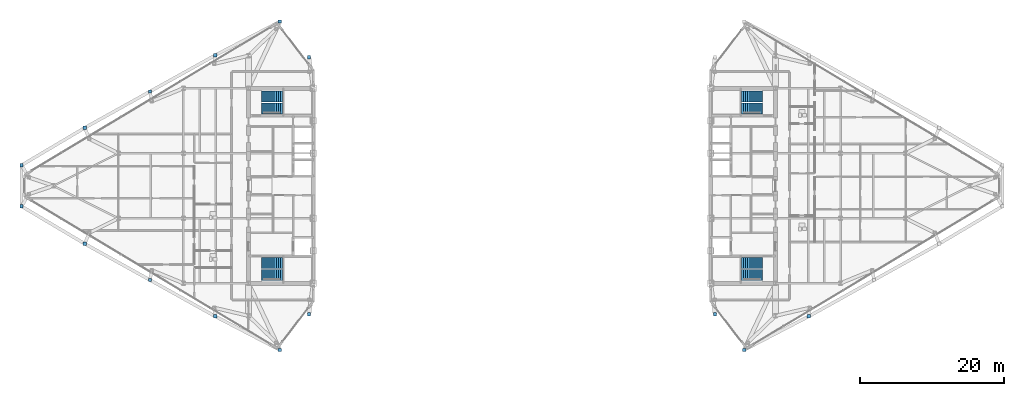
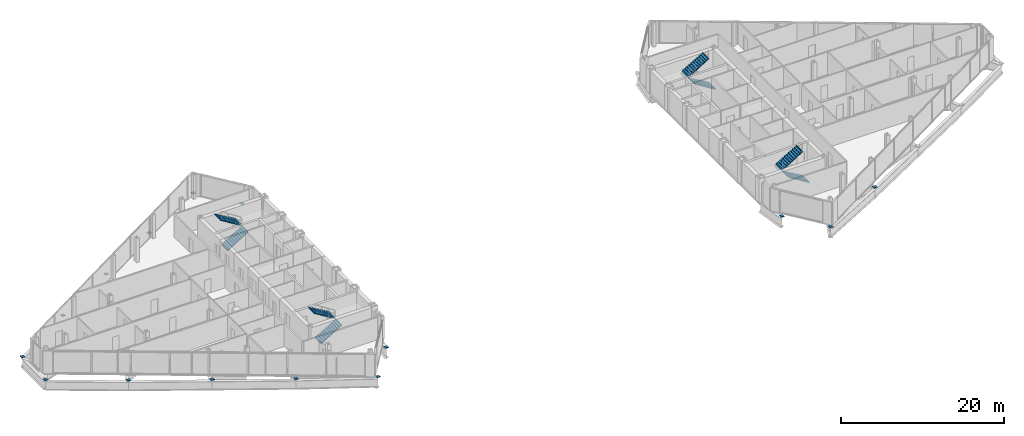
# One storey, part 26 of 29: 15 discrete accessories, 8 stair flights, 4 elements without a shape of their own.
"""IFC4 building model written with IfcOpenShell, lengths in metres."""

from ifc_helpers import new_model, si_unit, direction, frame, origin, origin_2d, place, context, subcontext, project, spatial, polyline, rectangle, outline, extrude, source, transform, mapped, material, type_object, type_shapes, element, aggregate, save


model = new_model("IFC4")

# Units and contexts
model_context = context("Model", 3, precision=1e-05, world=origin(), true_north=direction((0.0, 1.0)))
body_context = subcontext(model_context, "Body", "Model", "MODEL_VIEW")
ifc_project = project(units=[si_unit("LENGTHUNIT", "METRE"), si_unit("AREAUNIT", "SQUARE_METRE"), si_unit("VOLUMEUNIT", "CUBIC_METRE"), si_unit("PLANEANGLEUNIT", "RADIAN"), si_unit("MASSUNIT", "GRAM", prefix="KILO")], contexts=[model_context])

# Site, building, storey
site_placement = place(None, origin())
site = spatial("IfcSite", under=ifc_project, at=site_placement, CompositionType="ELEMENT")
building_placement = place(site_placement, origin())
building = spatial("IfcBuilding", under=site, at=building_placement, Name="Seokmaru Belvedere", CompositionType="ELEMENT")
storey_placement = place(building_placement, frame((0.0, 0.0, 195.89990234375)))
storey = spatial("IfcBuildingStorey", under=building, at=storey_placement, Name="L52", CompositionType="ELEMENT", Elevation=195.89990234375)

# Stair, stair flights
ifc_material_1 = material(Name="Concrete C40 (40 MPa)", Category="concrete")
stair_type = type_object("IfcStairType", Name="Typical Tower Core Dog-Leg Stair 3600", PredefinedType="TWO_STRAIGHT_RUN_STAIR", material=ifc_material_1)
stair_1_placement = place(storey_placement, origin())
stair_1 = element("IfcStair", 1, at=stair_1_placement, inside=storey, type_object=stair_type, Name="L52 Special Escape Stair ST-W1", PredefinedType="TWO_STRAIGHT_RUN_STAIR")
stair_flight_type = type_object("IfcStairFlightType", Name="Reinforced Concrete Stair Flight 1500", PredefinedType="STRAIGHT", material=ifc_material_1)
stair_flight_1_placement = place(storey_placement, frame((-34.60009765625, -12.35009765625, 0.0), z_axis=(0.0, 0.0, 1.0), x_axis=(1.0, 0.0, 0.0)))
stair_flight_1 = element("IfcStairFlight", 2, at=stair_flight_1_placement, type_object=stair_flight_type, Name="ST-W1 flight 1", NumberOfRisers=11, NumberOfTreads=10, PredefinedType="STRAIGHT", RiserHeight=0.163636364, TreadLength=0.28, context=body_context, shape_type="SweptSolid", body=[
    extrude(outline(polyline([(-0.080078125, 0.0), (0.0, 0.16357421875), (0.280029296875, 0.16357421875), (0.280029296875, 0.327392578125), (0.56005859375, 0.327392578125), (0.56005859375, 0.490966796875), (0.840087890625, 0.490966796875), (0.840087890625, 0.654541015625), (1.1201171875, 0.654541015625), (1.1201171875, 0.818115234375), (1.39990234375, 0.818115234375), (1.39990234375, 0.98193359375), (1.679931640625, 0.98193359375), (1.679931640625, 1.1455078125), (1.9599609375, 1.1455078125), (1.9599609375, 1.30908203125), (2.239990234375, 1.30908203125), (2.239990234375, 1.47265625), (2.52001953125, 1.47265625), (2.52001953125, 1.636474609375), (2.800048828125, 1.636474609375), (2.800048828125, 1.800048828125), (2.8798828125, 1.800048828125), (2.8798828125, 1.610107421875), (2.800048828125, 1.610107421875), (0.0, -0.159912109375), (-0.080078125, -0.159912109375), (-0.080078125, 0.0)])), frame((0.0, 0.75, 0.0), z_axis=(0.0, -1.0, 0.0), x_axis=(1.0, 0.0, 0.0)), (0.0, 0.0, 1.0), 1.5),
])
stair_flight_2_placement = place(storey_placement, frame((-31.800048828125, -10.7099609375, 1.800048828125), z_axis=(0.0, 0.0, 1.0), x_axis=(-1.0, 0.0, 0.0)))
stair_flight_2 = element("IfcStairFlight", 3, at=stair_flight_2_placement, type_object=stair_flight_type, Name="ST-W1 flight 2", NumberOfRisers=11, NumberOfTreads=10, PredefinedType="STRAIGHT", RiserHeight=0.163636364, TreadLength=0.28, context=body_context, shape_type="SweptSolid", body=[
    extrude(outline(polyline([(-0.080078125, 0.0), (0.0, 0.16357421875), (0.280029296875, 0.16357421875), (0.280029296875, 0.327392578125), (0.56005859375, 0.327392578125), (0.56005859375, 0.490966796875), (0.840087890625, 0.490966796875), (0.840087890625, 0.654541015625), (1.1201171875, 0.654541015625), (1.1201171875, 0.818115234375), (1.39990234375, 0.818115234375), (1.39990234375, 0.98193359375), (1.679931640625, 0.98193359375), (1.679931640625, 1.1455078125), (1.9599609375, 1.1455078125), (1.9599609375, 1.30908203125), (2.239990234375, 1.30908203125), (2.239990234375, 1.47265625), (2.52001953125, 1.47265625), (2.52001953125, 1.636474609375), (2.800048828125, 1.636474609375), (2.800048828125, 1.800048828125), (2.8798828125, 1.800048828125), (2.8798828125, 1.610107421875), (2.800048828125, 1.610107421875), (0.0, -0.159912109375), (-0.080078125, -0.159912109375), (-0.080078125, 0.0)])), frame((0.0, 0.75, 0.0), z_axis=(0.0, -1.0, 0.0), x_axis=(1.0, 0.0, 0.0)), (0.0, 0.0, 1.0), 1.5),
])
aggregate(stair_1, [stair_flight_1, stair_flight_2])

stair_2_placement = place(storey_placement, origin())
stair_2 = element("IfcStair", 4, at=stair_2_placement, inside=storey, type_object=stair_type, Name="L52 Special Escape Stair ST-W2", PredefinedType="TWO_STRAIGHT_RUN_STAIR")
stair_flight_3_placement = place(storey_placement, frame((-34.60009765625, 10.7099609375, 0.0), z_axis=(0.0, 0.0, 1.0), x_axis=(1.0, 0.0, 0.0)))
stair_flight_3 = element("IfcStairFlight", 5, at=stair_flight_3_placement, type_object=stair_flight_type, Name="ST-W2 flight 1", NumberOfRisers=11, NumberOfTreads=10, PredefinedType="STRAIGHT", RiserHeight=0.163636364, TreadLength=0.28, context=body_context, shape_type="SweptSolid", body=[
    extrude(outline(polyline([(-0.080078125, 0.0), (0.0, 0.16357421875), (0.280029296875, 0.16357421875), (0.280029296875, 0.327392578125), (0.56005859375, 0.327392578125), (0.56005859375, 0.490966796875), (0.840087890625, 0.490966796875), (0.840087890625, 0.654541015625), (1.1201171875, 0.654541015625), (1.1201171875, 0.818115234375), (1.39990234375, 0.818115234375), (1.39990234375, 0.98193359375), (1.679931640625, 0.98193359375), (1.679931640625, 1.1455078125), (1.9599609375, 1.1455078125), (1.9599609375, 1.30908203125), (2.239990234375, 1.30908203125), (2.239990234375, 1.47265625), (2.52001953125, 1.47265625), (2.52001953125, 1.636474609375), (2.800048828125, 1.636474609375), (2.800048828125, 1.800048828125), (2.8798828125, 1.800048828125), (2.8798828125, 1.610107421875), (2.800048828125, 1.610107421875), (0.0, -0.159912109375), (-0.080078125, -0.159912109375), (-0.080078125, 0.0)])), frame((0.0, 0.75, 0.0), z_axis=(0.0, -1.0, 0.0), x_axis=(1.0, 0.0, 0.0)), (0.0, 0.0, 1.0), 1.5),
])
stair_flight_4_placement = place(storey_placement, frame((-31.800048828125, 12.35009765625, 1.800048828125), z_axis=(0.0, 0.0, 1.0), x_axis=(-1.0, 0.0, 0.0)))
stair_flight_4 = element("IfcStairFlight", 6, at=stair_flight_4_placement, type_object=stair_flight_type, Name="ST-W2 flight 2", NumberOfRisers=11, NumberOfTreads=10, PredefinedType="STRAIGHT", RiserHeight=0.163636364, TreadLength=0.28, context=body_context, shape_type="SweptSolid", body=[
    extrude(outline(polyline([(-0.080078125, 0.0), (0.0, 0.16357421875), (0.280029296875, 0.16357421875), (0.280029296875, 0.327392578125), (0.56005859375, 0.327392578125), (0.56005859375, 0.490966796875), (0.840087890625, 0.490966796875), (0.840087890625, 0.654541015625), (1.1201171875, 0.654541015625), (1.1201171875, 0.818115234375), (1.39990234375, 0.818115234375), (1.39990234375, 0.98193359375), (1.679931640625, 0.98193359375), (1.679931640625, 1.1455078125), (1.9599609375, 1.1455078125), (1.9599609375, 1.30908203125), (2.239990234375, 1.30908203125), (2.239990234375, 1.47265625), (2.52001953125, 1.47265625), (2.52001953125, 1.636474609375), (2.800048828125, 1.636474609375), (2.800048828125, 1.800048828125), (2.8798828125, 1.800048828125), (2.8798828125, 1.610107421875), (2.800048828125, 1.610107421875), (0.0, -0.159912109375), (-0.080078125, -0.159912109375), (-0.080078125, 0.0)])), frame((0.0, 0.75, 0.0), z_axis=(0.0, -1.0, 0.0), x_axis=(1.0, 0.0, 0.0)), (0.0, 0.0, 1.0), 1.5),
])
aggregate(stair_2, [stair_flight_3, stair_flight_4])

stair_3_placement = place(storey_placement, origin())
stair_3 = element("IfcStair", 7, at=stair_3_placement, inside=storey, type_object=stair_type, Name="L52 Special Escape Stair ST-E1", PredefinedType="TWO_STRAIGHT_RUN_STAIR")
stair_flight_5_placement = place(storey_placement, frame((34.60009765625, -12.35009765625, 0.0), z_axis=(0.0, 0.0, 1.0), x_axis=(-1.0, 0.0, 0.0)))
stair_flight_5 = element("IfcStairFlight", 8, at=stair_flight_5_placement, type_object=stair_flight_type, Name="ST-E1 flight 1", NumberOfRisers=11, NumberOfTreads=10, PredefinedType="STRAIGHT", RiserHeight=0.163636364, TreadLength=0.28, context=body_context, shape_type="SweptSolid", body=[
    extrude(outline(polyline([(-0.080078125, 0.0), (0.0, 0.16357421875), (0.280029296875, 0.16357421875), (0.280029296875, 0.327392578125), (0.56005859375, 0.327392578125), (0.56005859375, 0.490966796875), (0.840087890625, 0.490966796875), (0.840087890625, 0.654541015625), (1.1201171875, 0.654541015625), (1.1201171875, 0.818115234375), (1.39990234375, 0.818115234375), (1.39990234375, 0.98193359375), (1.679931640625, 0.98193359375), (1.679931640625, 1.1455078125), (1.9599609375, 1.1455078125), (1.9599609375, 1.30908203125), (2.239990234375, 1.30908203125), (2.239990234375, 1.47265625), (2.52001953125, 1.47265625), (2.52001953125, 1.636474609375), (2.800048828125, 1.636474609375), (2.800048828125, 1.800048828125), (2.8798828125, 1.800048828125), (2.8798828125, 1.610107421875), (2.800048828125, 1.610107421875), (0.0, -0.159912109375), (-0.080078125, -0.159912109375), (-0.080078125, 0.0)])), frame((0.0, 0.75, 0.0), z_axis=(0.0, -1.0, 0.0), x_axis=(1.0, 0.0, 0.0)), (0.0, 0.0, 1.0), 1.5),
])
stair_flight_6_placement = place(storey_placement, frame((31.800048828125, -10.7099609375, 1.800048828125), z_axis=(0.0, 0.0, 1.0), x_axis=(1.0, 0.0, 0.0)))
stair_flight_6 = element("IfcStairFlight", 9, at=stair_flight_6_placement, type_object=stair_flight_type, Name="ST-E1 flight 2", NumberOfRisers=11, NumberOfTreads=10, PredefinedType="STRAIGHT", RiserHeight=0.163636364, TreadLength=0.28, context=body_context, shape_type="SweptSolid", body=[
    extrude(outline(polyline([(-0.080078125, 0.0), (0.0, 0.16357421875), (0.280029296875, 0.16357421875), (0.280029296875, 0.327392578125), (0.56005859375, 0.327392578125), (0.56005859375, 0.490966796875), (0.840087890625, 0.490966796875), (0.840087890625, 0.654541015625), (1.1201171875, 0.654541015625), (1.1201171875, 0.818115234375), (1.39990234375, 0.818115234375), (1.39990234375, 0.98193359375), (1.679931640625, 0.98193359375), (1.679931640625, 1.1455078125), (1.9599609375, 1.1455078125), (1.9599609375, 1.30908203125), (2.239990234375, 1.30908203125), (2.239990234375, 1.47265625), (2.52001953125, 1.47265625), (2.52001953125, 1.636474609375), (2.800048828125, 1.636474609375), (2.800048828125, 1.800048828125), (2.8798828125, 1.800048828125), (2.8798828125, 1.610107421875), (2.800048828125, 1.610107421875), (0.0, -0.159912109375), (-0.080078125, -0.159912109375), (-0.080078125, 0.0)])), frame((0.0, 0.75, 0.0), z_axis=(0.0, -1.0, 0.0), x_axis=(1.0, 0.0, 0.0)), (0.0, 0.0, 1.0), 1.5),
])
aggregate(stair_3, [stair_flight_5, stair_flight_6])

stair_4_placement = place(storey_placement, origin())
stair_4 = element("IfcStair", 10, at=stair_4_placement, inside=storey, type_object=stair_type, Name="L52 Special Escape Stair ST-E2", PredefinedType="TWO_STRAIGHT_RUN_STAIR")
stair_flight_7_placement = place(storey_placement, frame((34.60009765625, 10.7099609375, 0.0), z_axis=(0.0, 0.0, 1.0), x_axis=(-1.0, 0.0, 0.0)))
stair_flight_7 = element("IfcStairFlight", 11, at=stair_flight_7_placement, type_object=stair_flight_type, Name="ST-E2 flight 1", NumberOfRisers=11, NumberOfTreads=10, PredefinedType="STRAIGHT", RiserHeight=0.163636364, TreadLength=0.28, context=body_context, shape_type="SweptSolid", body=[
    extrude(outline(polyline([(-0.080078125, 0.0), (0.0, 0.16357421875), (0.280029296875, 0.16357421875), (0.280029296875, 0.327392578125), (0.56005859375, 0.327392578125), (0.56005859375, 0.490966796875), (0.840087890625, 0.490966796875), (0.840087890625, 0.654541015625), (1.1201171875, 0.654541015625), (1.1201171875, 0.818115234375), (1.39990234375, 0.818115234375), (1.39990234375, 0.98193359375), (1.679931640625, 0.98193359375), (1.679931640625, 1.1455078125), (1.9599609375, 1.1455078125), (1.9599609375, 1.30908203125), (2.239990234375, 1.30908203125), (2.239990234375, 1.47265625), (2.52001953125, 1.47265625), (2.52001953125, 1.636474609375), (2.800048828125, 1.636474609375), (2.800048828125, 1.800048828125), (2.8798828125, 1.800048828125), (2.8798828125, 1.610107421875), (2.800048828125, 1.610107421875), (0.0, -0.159912109375), (-0.080078125, -0.159912109375), (-0.080078125, 0.0)])), frame((0.0, 0.75, 0.0), z_axis=(0.0, -1.0, 0.0), x_axis=(1.0, 0.0, 0.0)), (0.0, 0.0, 1.0), 1.5),
])
stair_flight_8_placement = place(storey_placement, frame((31.800048828125, 12.35009765625, 1.800048828125), z_axis=(0.0, 0.0, 1.0), x_axis=(1.0, 0.0, 0.0)))
stair_flight_8 = element("IfcStairFlight", 12, at=stair_flight_8_placement, type_object=stair_flight_type, Name="ST-E2 flight 2", NumberOfRisers=11, NumberOfTreads=10, PredefinedType="STRAIGHT", RiserHeight=0.163636364, TreadLength=0.28, context=body_context, shape_type="SweptSolid", body=[
    extrude(outline(polyline([(-0.080078125, 0.0), (0.0, 0.16357421875), (0.280029296875, 0.16357421875), (0.280029296875, 0.327392578125), (0.56005859375, 0.327392578125), (0.56005859375, 0.490966796875), (0.840087890625, 0.490966796875), (0.840087890625, 0.654541015625), (1.1201171875, 0.654541015625), (1.1201171875, 0.818115234375), (1.39990234375, 0.818115234375), (1.39990234375, 0.98193359375), (1.679931640625, 0.98193359375), (1.679931640625, 1.1455078125), (1.9599609375, 1.1455078125), (1.9599609375, 1.30908203125), (2.239990234375, 1.30908203125), (2.239990234375, 1.47265625), (2.52001953125, 1.47265625), (2.52001953125, 1.636474609375), (2.800048828125, 1.636474609375), (2.800048828125, 1.800048828125), (2.8798828125, 1.800048828125), (2.8798828125, 1.610107421875), (2.800048828125, 1.610107421875), (0.0, -0.159912109375), (-0.080078125, -0.159912109375), (-0.080078125, 0.0)])), frame((0.0, 0.75, 0.0), z_axis=(0.0, -1.0, 0.0), x_axis=(1.0, 0.0, 0.0)), (0.0, 0.0, 1.0), 1.5),
])
aggregate(stair_4, [stair_flight_7, stair_flight_8])

# Discrete accessories
ifc_material_2 = material(Name="Steel SM355 (355 MPa)", Category="steel")
discrete_accessory_type = type_object("IfcDiscreteAccessoryType", Name="End Cap Plate HSS-450x450x18", PredefinedType="USERDEFINED", material=ifc_material_2)
shared_shape = source(origin(), body_context, "Body", "SweptSolid", [
    extrude(rectangle(XDim=0.449951171875, YDim=0.449951171875, at=origin_2d()), origin(), (0.0, 0.0, 1.0), 0.01806640625),
])
type_shapes(discrete_accessory_type, [shared_shape])
for number, where, z_axis, x_axis, name in (
    (13, (-28.10009765625, -17.785888671875, 0.0), (0.0, 0.0, 1.0), (1.0, 0.0, 0.0), "L51 Column WF1 End Cap Plate Top"),
    (14, (-28.10009765625, 17.785888671875, 0.0), (0.0, 0.0, 1.0), (1.0, 0.0, 0.0), "L51 Column WF2 End Cap Plate Top"),
    (15, (-32.146728515625, 22.731689453125, 0.0), (0.0, 0.0, 1.0), (1.0, 0.0, 0.0), "L51 Column WF3 End Cap Plate Top"),
    (16, (-67.89990234375, 2.84716796875, 0.0), (0.0, 0.0, 1.0), (1.0, 0.0, 0.0), "L51 Column WF4 End Cap Plate Top"),
    (17, (-67.89990234375, -2.84716796875, 0.0), (0.0, 0.0, 1.0), (1.0, 0.0, 0.0), "L51 Column WF5 End Cap Plate Top"),
    (18, (-32.146728515625, -22.731689453125, 0.0), (0.0, 0.0, 1.0), (1.0, 0.0, 0.0), "L51 Column WF6 End Cap Plate Top"),
    (19, (-41.103759765625, -18.07080078125, 0.0), (0.0, 0.0, 1.0), (1.0, 0.0, 0.0), "L51 Column WFLK_S1 End Cap Plate Top"),
    (20, (-50.129150390625, -13.051025390625, 0.0), (0.0, 0.0, 1.0), (1.0, 0.0, 0.0), "L51 Column WFLK_S2 End Cap Plate Top"),
    (21, (-59.154541015625, -8.031494140625, 0.0), (0.0, 0.0, 1.0), (1.0, 0.0, 0.0), "L51 Column WFLK_S3 End Cap Plate Top"),
    (22, (-41.103759765625, 18.07080078125, 0.0), (0.0, 0.0, 1.0), (1.0, 0.0, 0.0), "L51 Column WFLK_N1 End Cap Plate Top"),
    (23, (-50.129150390625, 13.051025390625, 0.0), (0.0, 0.0, 1.0), (1.0, 0.0, 0.0), "L51 Column WFLK_N2 End Cap Plate Top"),
    (24, (-59.154541015625, 8.031494140625, 0.0), (0.0, 0.0, 1.0), (1.0, 0.0, 0.0), "L51 Column WFLK_N3 End Cap Plate Top"),
    (25, (32.146728515625, -22.731689453125, 0.0), (0.0, 0.0, 1.0), (1.0, 0.0, 0.0), "L51 Column EF1 End Cap Plate Top"),
    (26, (28.10009765625, -17.785888671875, 0.0), (0.0, 0.0, 1.0), (1.0, 0.0, 0.0), "L51 Column EF6 End Cap Plate Top"),
    (27, (41.103759765625, -18.07080078125, 0.0), (0.0, 0.0, 1.0), (1.0, 0.0, 0.0), "L51 Column EFLK_S1 End Cap Plate Top"),
):
    element("IfcDiscreteAccessory", number, at=place(storey_placement, frame(where, z_axis=z_axis, x_axis=x_axis)), inside=storey, type_object=discrete_accessory_type, Name=name, ObjectType="END_CAP_PLATE", PredefinedType="USERDEFINED", context=body_context, shape_type="MappedRepresentation", body=[
        mapped(shared_shape, transform((0.0, 0.0, 0.0), scale=1.0)),
    ])

save(model, "model.ifc")
